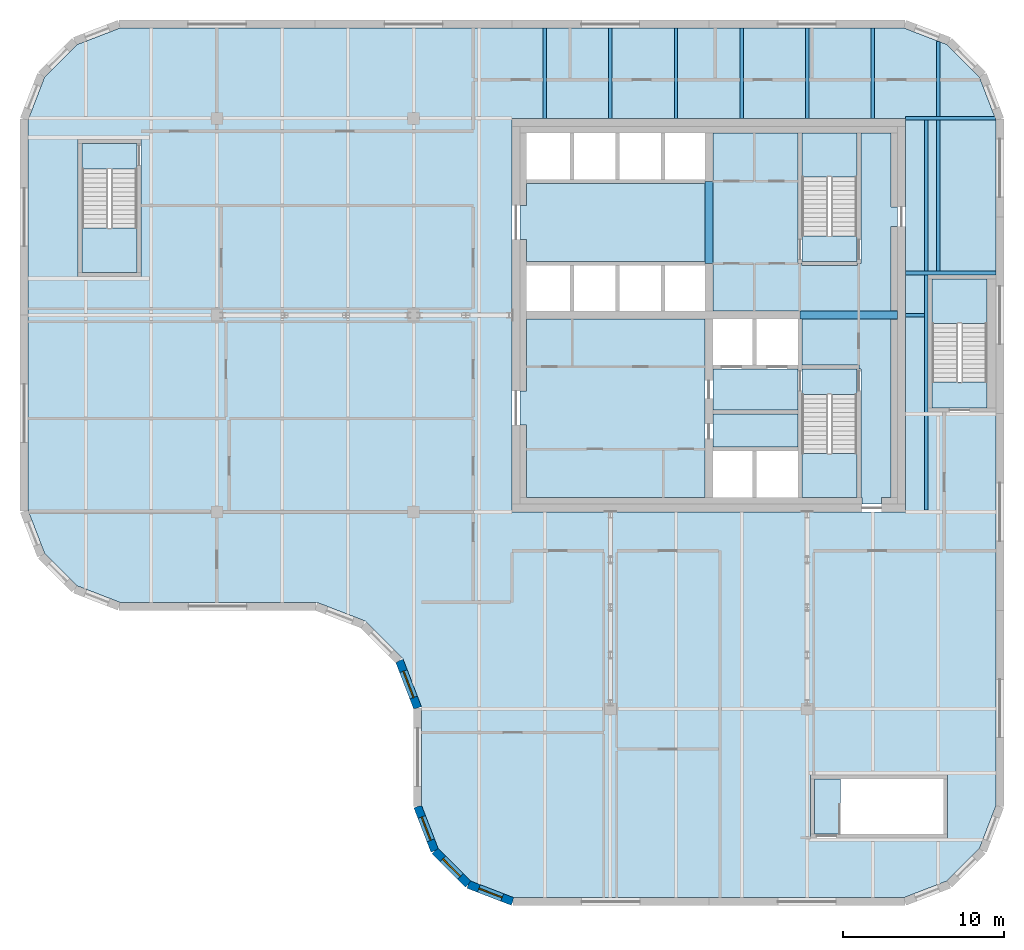
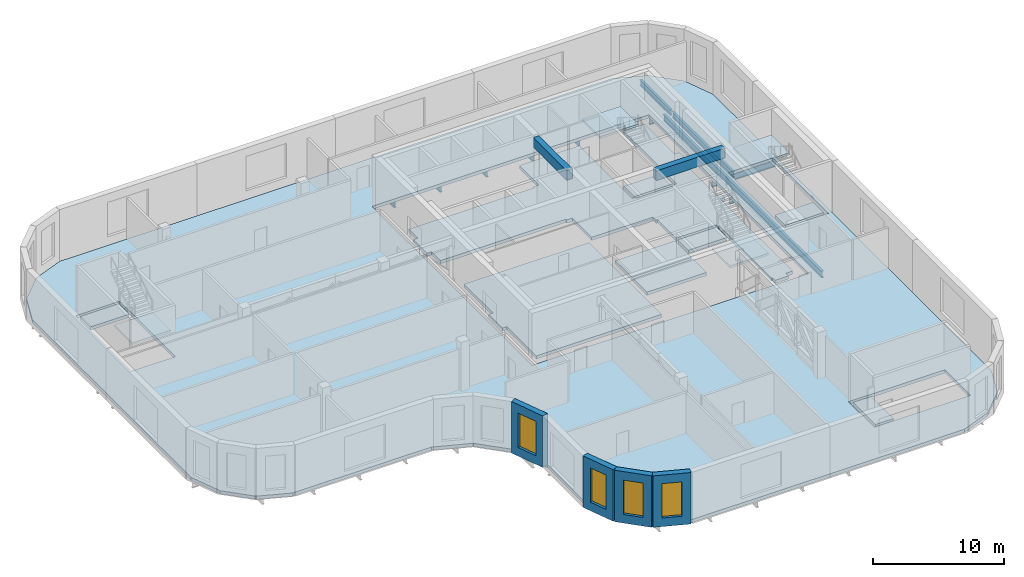
# One storey, part 4 of 12: 14 beams, 14 slabs, 4 walls, 4 windows, 4 openings, 4 elements without a shape of their own.
"""IFC4 building model written with IfcOpenShell, lengths in metres."""

import ifcopenshell
import ifcopenshell.guid

model = None  # the IFC model being written
_history = None  # IfcOwnerHistory: only IFC2X3 demands one
_inside = {}  # id of a spatial element -> (the spatial element, [elements in it])
_under = {}  # id of a project, library or spatial element -> (it, [spatial elements below it])
_declared = {}  # id of a project -> (the project, [libraries it declares])
_typed = {}  # id of a type object -> (the type object, [elements of that type])
_made_of = {}  # id of a material, layer set ... -> (it, [elements and type objects made of it])


def new_model(schema):
    """Start an empty IFC model of exactly this schema.

    Asked for "IFC4X3", IfcOpenShell would pick the latest addendum, in which some entities
    have other attributes; the version numbers below select the first issue.
    IFC2X3 requires an IfcOwnerHistory on every rooted entity: one is made here for all.
    """
    global model, _history
    if schema == "IFC4X3":
        model = ifcopenshell.file(schema_version=(4, 3, 0, 0))
    else:
        model = ifcopenshell.file(schema=schema)
    _inside.clear()
    _under.clear()
    _declared.clear()
    _typed.clear()
    _made_of.clear()
    _history = None
    if model.schema == "IFC2X3":
        org = make("IfcOrganization", Name="unknown")
        user = make(
            "IfcPersonAndOrganization",
            ThePerson=make("IfcPerson", FamilyName="unknown"),
            TheOrganization=org,
        )
        app = make(
            "IfcApplication",
            ApplicationDeveloper=org,
            Version="unknown",
            ApplicationFullName="unknown",
            ApplicationIdentifier="unknown",
        )
        _history = make(
            "IfcOwnerHistory",
            OwningUser=user,
            OwningApplication=app,
            ChangeAction="ADDED",
            CreationDate=0,
        )
    return model


def make(cls, **values):
    """One entity of the class cls with the attributes given. An attribute that is None is left unset."""
    return model.create_entity(
        cls, **{name: value for name, value in values.items() if value is not None}
    )


def rooted(cls, **values):
    """An entity with a GlobalId (a new one), such as an element, a storey or a relation."""
    return make(cls, GlobalId=ifcopenshell.guid.new(), OwnerHistory=_history, **values)


def si_unit(unit_type, name, prefix=None):
    """IfcSIUnit, for example si_unit("LENGTHUNIT", "METRE", prefix="MILLI")."""
    return make("IfcSIUnit", UnitType=unit_type, Prefix=prefix, Name=name)


def assignment(units):
    """IfcUnitAssignment: the units of a project."""
    return None if units is None else make("IfcUnitAssignment", Units=units)


def point(xyz):
    """IfcCartesianPoint."""
    return None if xyz is None else make("IfcCartesianPoint", Coordinates=xyz)


def direction(xyz):
    """IfcDirection."""
    return None if xyz is None else make("IfcDirection", DirectionRatios=xyz)


def frame(location, z_axis=None, x_axis=None):
    """IfcAxis2Placement3D, a coordinate frame: its origin and axes. An axis left out is left unset."""
    return make(
        "IfcAxis2Placement3D",
        Location=point(location),
        Axis=direction(z_axis),
        RefDirection=direction(x_axis),
    )


def frame_2d(location, x_axis=None):
    """IfcAxis2Placement2D, a coordinate frame in the plane: its origin and x axis."""
    return make(
        "IfcAxis2Placement2D", Location=point(location), RefDirection=direction(x_axis)
    )


def origin():
    """The frame at (0, 0, 0) with its axes left unset."""
    return frame((0.0, 0.0, 0.0))


def origin_2d():
    """The frame at (0, 0) in the plane with its x axis left unset."""
    return frame_2d((0.0, 0.0))


def place(relative_to, where):
    """IfcLocalPlacement: puts the frame where relative to a parent placement (None: the world)."""
    return make(
        "IfcLocalPlacement", PlacementRelTo=relative_to, RelativePlacement=where
    )


def context(
    kind, dimensions, precision=None, world=None, true_north=None, identifier=None
):
    """IfcGeometricRepresentationContext, for example the 3D "Model" context."""
    return make(
        "IfcGeometricRepresentationContext",
        ContextIdentifier=identifier,
        ContextType=kind,
        CoordinateSpaceDimension=dimensions,
        Precision=precision,
        WorldCoordinateSystem=world,
        TrueNorth=true_north,
    )


def subcontext(parent, identifier, kind, view, scale=None):
    """IfcGeometricRepresentationSubContext, for example "Body" below "Model"."""
    return make(
        "IfcGeometricRepresentationSubContext",
        ContextIdentifier=identifier,
        ContextType=kind,
        ParentContext=parent,
        TargetScale=scale,
        TargetView=view,
    )


def project(units=None, contexts=None):
    """IfcProject with its units and contexts."""
    return rooted(
        "IfcProject",
        Name="project",
        RepresentationContexts=contexts,
        UnitsInContext=assignment(units),
    )


def spatial(cls, under=None, at=None, **own):
    """A site, building, storey or space (cls), placed at a placement, below another one or the project."""
    s = rooted(cls, ObjectPlacement=at, **own)
    if under is not None:
        _under.setdefault(under.id(), (under, []))[1].append(s)
    return s


def polyline(points):
    """IfcPolyline through the points."""
    return make("IfcPolyline", Points=[point(p) for p in points])


def profile(cls, at=None, kind="AREA", **sizes):
    """A parametric profile (cls). Its sizes go by their IFC names, for example OverallWidth=200.0."""
    return make(cls, ProfileType=kind, Position=at, **sizes)


def rectangle(**sizes):
    """IfcRectangleProfileDef."""
    return profile("IfcRectangleProfileDef", **sizes)


def i_section(**sizes):
    """IfcIShapeProfileDef."""
    return profile("IfcIShapeProfileDef", **sizes)


def outline(outer, holes=None, kind="AREA"):
    """IfcArbitraryClosedProfileDef: a profile drawn as a closed curve; with holes, ...WithVoids."""
    if holes is None:
        return make("IfcArbitraryClosedProfileDef", ProfileType=kind, OuterCurve=outer)
    return make(
        "IfcArbitraryProfileDefWithVoids",
        ProfileType=kind,
        OuterCurve=outer,
        InnerCurves=holes,
    )


def extrude(swept, where, along, depth):
    """IfcExtrudedAreaSolid: the profile swept, set in the frame where, extruded along a direction by depth."""
    return make(
        "IfcExtrudedAreaSolid",
        SweptArea=swept,
        Position=where,
        ExtrudedDirection=direction(along),
        Depth=depth,
    )


def faces_of(points, faces, orient=None, outer=None):
    """IfcFace entities. A face is a list of loops; a loop is a list of indices into points, from 0.

    orient and outer hold one flag for each loop. By default every Orientation is true, the
    first loop of a face is its IfcFaceOuterBound and the others are IfcFaceBound.
    """
    made = []
    for i, loops in enumerate(faces):
        bounds = []
        for j, loop in enumerate(loops):
            is_outer = j == 0 if outer is None else outer[i][j]
            bounds.append(
                make(
                    "IfcFaceOuterBound" if is_outer else "IfcFaceBound",
                    Bound=make("IfcPolyLoop", Polygon=[points[k] for k in loop]),
                    Orientation=True if orient is None else orient[i][j],
                )
            )
        made.append(make("IfcFace", Bounds=bounds))
    return made


def faceted_brep(points, faces, orient=None, outer=None, voids=None):
    """IfcFacetedBrep: a solid bounded by flat faces; with voids (closed shells), ...WithVoids."""
    shared = [point(p) for p in points]
    hull = make("IfcClosedShell", CfsFaces=faces_of(shared, faces, orient, outer))
    if voids is None:
        return make("IfcFacetedBrep", Outer=hull)
    return make(
        "IfcFacetedBrepWithVoids",
        Outer=hull,
        Voids=[
            make(cls, CfsFaces=faces_of(shared, fs, o, b)) for cls, fs, o, b in voids
        ],
    )


def shape(context_of_items, identifier, shape_type, items):
    """IfcShapeRepresentation: the items that make up one representation, for example the "Body"."""
    return make(
        "IfcShapeRepresentation",
        ContextOfItems=context_of_items,
        RepresentationIdentifier=identifier,
        RepresentationType=shape_type,
        Items=items,
    )


def source(mapping_origin, context_of_items, identifier, shape_type, items):
    """IfcRepresentationMap: a shape defined once, which mapped items show again and again."""
    return make(
        "IfcRepresentationMap",
        MappingOrigin=mapping_origin,
        MappedRepresentation=shape(context_of_items, identifier, shape_type, items),
    )


def transform(
    local_origin,
    x_axis=None,
    y_axis=None,
    z_axis=None,
    scale=None,
    scale2=None,
    scale3=None,
    uniform=True,
):
    """IfcCartesianTransformationOperator3D, or its non-uniform kind. x_axis, y_axis, z_axis: its Axis1, 2, 3."""
    if uniform:
        return make(
            "IfcCartesianTransformationOperator3D",
            Axis1=direction(x_axis),
            Axis2=direction(y_axis),
            LocalOrigin=point(local_origin),
            Scale=scale,
            Axis3=direction(z_axis),
        )
    return make(
        "IfcCartesianTransformationOperator3DnonUniform",
        Axis1=direction(x_axis),
        Axis2=direction(y_axis),
        LocalOrigin=point(local_origin),
        Scale=scale,
        Axis3=direction(z_axis),
        Scale2=scale2,
        Scale3=scale3,
    )


def mapped(mapping_source, mapping_target):
    """IfcMappedItem: shows the shape of a source again, moved by a transform."""
    return make(
        "IfcMappedItem", MappingSource=mapping_source, MappingTarget=mapping_target
    )


def material(Name=None, Category=None):
    """IfcMaterial."""
    return make("IfcMaterial", Name=Name, Category=Category)


def layer(
    of_material, thickness, ventilated=None, Name=None, Category=None, Priority=None
):
    """IfcMaterialLayer: one layer of a wall or slab, of a material (None: an air gap)."""
    return make(
        "IfcMaterialLayer",
        Material=of_material,
        LayerThickness=thickness,
        IsVentilated=ventilated,
        Name=Name,
        Category=Category,
        Priority=Priority,
    )


def layer_set(layers, Name=None):
    """IfcMaterialLayerSet."""
    return make("IfcMaterialLayerSet", MaterialLayers=layers, LayerSetName=Name)


def material_profile(
    of_material, cross_section, Name=None, Category=None, Priority=None
):
    """IfcMaterialProfile: a cross section and its material."""
    return make(
        "IfcMaterialProfile",
        Name=Name,
        Material=of_material,
        Profile=cross_section,
        Priority=Priority,
        Category=Category,
    )


def profile_set(profiles, Name=None, composite=None):
    """IfcMaterialProfileSet."""
    return make(
        "IfcMaterialProfileSet",
        Name=Name,
        MaterialProfiles=profiles,
        CompositeProfile=composite,
    )


def made_of(thing, what):
    """Note that an element or type object is made of a material, layer set ...; save() writes the relation."""
    if what is not None:
        _made_of.setdefault(what.id(), (what, []))[1].append(thing)
    return thing


def type_object(cls, material=None, **own):
    """A type object (cls), such as IfcWallType, which elements share."""
    return made_of(rooted(cls, **own), material)


def element(
    cls,
    number,
    at=None,
    inside=None,
    cuts=None,
    type_object=None,
    material=None,
    context=None,
    identifier="Body",
    shape_type=None,
    held_by="IfcProductDefinitionShape",
    body=None,
    shapes=None,
    **own,
):
    """One element of the class cls, such as IfcWall. Its Tag is "e" and its number.

    at: its placement. inside: the storey or other place that contains it. cuts: it is an
    opening in that element (IfcRelVoidsElement). A single representation is given by context,
    identifier, shape_type and body (its items); several are given by shapes. held_by: the class
    of the entity that holds the representations. save() writes the other relations.
    """
    e = rooted(cls, Tag="e%d" % number, ObjectPlacement=at, **own)
    if body is not None:
        shapes = [shape(context, identifier, shape_type, body)]
    if shapes is not None:
        e.Representation = make(held_by, Representations=shapes)
    if inside is not None:
        _inside.setdefault(inside.id(), (inside, []))[1].append(e)
    if cuts is not None:
        rooted(
            "IfcRelVoidsElement", RelatingBuildingElement=cuts, RelatedOpeningElement=e
        )
    if type_object is not None:
        _typed.setdefault(type_object.id(), (type_object, []))[1].append(e)
    return made_of(e, material)


def fill(opening, filler):
    """IfcRelFillsElement: the door or window that sits in an opening."""
    return rooted(
        "IfcRelFillsElement",
        RelatingOpeningElement=opening,
        RelatedBuildingElement=filler,
    )


def aggregate(whole, parts):
    """IfcRelAggregates: a whole, such as a stair, and the parts it consists of."""
    return rooted("IfcRelAggregates", RelatingObject=whole, RelatedObjects=parts)


def save(model, path):
    """Write the relations noted so far, then the file.

    IfcRelAggregates (storeys below a building ...), IfcRelContainedInSpatialStructure (elements
    in a storey), IfcRelDefinesByType, IfcRelAssociatesMaterial and IfcRelDeclares: one each for
    every whole, place, type object, material and project.
    """
    for whole, parts in _under.values():
        aggregate(whole, parts)
    for where, things in _inside.values():
        rooted(
            "IfcRelContainedInSpatialStructure",
            RelatedElements=things,
            RelatingStructure=where,
        )
    for kind, things in _typed.values():
        rooted("IfcRelDefinesByType", RelatedObjects=things, RelatingType=kind)
    for what, things in _made_of.values():
        rooted("IfcRelAssociatesMaterial", RelatedObjects=things, RelatingMaterial=what)
    for by, libraries in _declared.values():
        rooted("IfcRelDeclares", RelatingContext=by, RelatedDefinitions=libraries)
    model.write(path)


model = new_model("IFC4")

# Units and contexts
model_context = context("Model", 3, precision=1e-05, world=origin(), true_north=direction((0.0, 1.0)))
body_context = subcontext(model_context, "Body", "Model", "MODEL_VIEW")
ifc_project = project(units=[si_unit("LENGTHUNIT", "METRE"), si_unit("AREAUNIT", "SQUARE_METRE"), si_unit("VOLUMEUNIT", "CUBIC_METRE"), si_unit("PLANEANGLEUNIT", "RADIAN"), si_unit("MASSUNIT", "GRAM", prefix="KILO")], contexts=[model_context])

# Site, building, storey
site_placement = place(None, origin())
site = spatial("IfcSite", under=ifc_project, at=site_placement, CompositionType="ELEMENT")
building_placement = place(site_placement, origin())
building = spatial("IfcBuilding", under=site, at=building_placement, Name="Tessera Gate Towers", CompositionType="ELEMENT")
storey_placement = place(building_placement, frame((0.0, 0.0, 232.10009765625)))
storey = spatial("IfcBuildingStorey", under=building, at=storey_placement, Name="L58", CompositionType="ELEMENT", Elevation=232.10009765625)

# Beams
ifc_material_1 = material(Name="Concrete C50/60", Category="concrete")
ifc_material_profile_1 = material_profile(ifc_material_1, rectangle(XDim=0.5, YDim=0.89990234375, at=origin_2d()), Name="RC 500x900")
ifc_profile_set_1 = profile_set([ifc_material_profile_1], Name="Concrete C50/60")
beam_type_1 = type_object("IfcBeamType", Name="COUPLING BEAM 500x900 C50/60", PredefinedType="BEAM", material=ifc_profile_set_1)
beam_1_placement = place(storey_placement, frame((48.35009765625, 36.60009765625, 4.14990234375), z_axis=(1.0, 0.0, 0.0), x_axis=(0.0, 1.0, 0.0)))
element("IfcBeam", 1, at=beam_1_placement, inside=storey, type_object=beam_type_1, Name="L58 coupling beam 1", PredefinedType="BEAM", context=body_context, shape_type="SweptSolid", body=[
    extrude(rectangle(XDim=0.5, YDim=0.89990234375, at=origin_2d()), origin(), (0.0, 0.0, 1.0), 6.0498046875),
])
beam_2_placement = place(storey_placement, frame((42.699951171875, 39.800048828125, 4.14990234375), z_axis=(0.0, 1.0, 0.0), x_axis=(-1.0, 0.0, 0.0)))
element("IfcBeam", 2, at=beam_2_placement, inside=storey, type_object=beam_type_1, Name="L58 coupling beam 2", PredefinedType="BEAM", context=body_context, shape_type="SweptSolid", body=[
    extrude(rectangle(XDim=0.5, YDim=0.89990234375, at=origin_2d()), origin(), (0.0, 0.0, 1.0), 5.099853515625),
])
ifc_material_2 = material(Name="Steel 350W", Category="steel")
ifc_material_profile_2 = material_profile(ifc_material_2, i_section(OverallWidth=0.22900390625, OverallDepth=0.612060546875, WebThickness=0.011962890625, FlangeThickness=0.01953125, at=origin_2d()), Name="W610x125")
ifc_profile_set_2 = profile_set([ifc_material_profile_2], Name="Steel 350W")
beam_type_2 = type_object("IfcBeamType", Name="FLOOR GIRDER W610x125", PredefinedType="BEAM", material=ifc_profile_set_2)
beam_3_placement = place(storey_placement, frame((54.89892578125, 36.60009765625, -0.606201171875), z_axis=(1.0, 0.0, 0.0), x_axis=(0.0, 1.0, 0.0)))
element("IfcBeam", 3, at=beam_3_placement, inside=storey, type_object=beam_type_2, Name="T1-GD-L58-5858", PredefinedType="BEAM", context=body_context, shape_type="SweptSolid", body=[
    extrude(i_section(OverallWidth=0.22900390625, OverallDepth=0.612060546875, WebThickness=0.011962890625, FlangeThickness=0.01953125, at=origin_2d()), origin(), (0.0, 0.0, 1.0), 1.16650390625),
])
beam_4_placement = place(storey_placement, frame((54.90087890625, 48.800048828125, -0.606201171875), z_axis=(1.0, 0.0, 0.0), x_axis=(0.0, 1.0, 0.0)))
element("IfcBeam", 4, at=beam_4_placement, inside=storey, type_object=beam_type_2, Name="T1-GD-L58-5862", PredefinedType="BEAM", context=body_context, shape_type="SweptSolid", body=[
    extrude(i_section(OverallWidth=0.22900390625, OverallDepth=0.612060546875, WebThickness=0.011962890625, FlangeThickness=0.01953125, at=origin_2d()), origin(), (0.0, 0.0, 1.0), 5.564208984375),
])
beam_5_placement = place(storey_placement, frame((54.89892578125, 39.219970703125, -0.606201171875), z_axis=(1.0, 0.0, 0.0), x_axis=(0.0, 1.0, 0.0)))
element("IfcBeam", 5, at=beam_5_placement, inside=storey, type_object=beam_type_2, Name="T1-GD-L58-5880", PredefinedType="BEAM", context=body_context, shape_type="SweptSolid", body=[
    extrude(i_section(OverallWidth=0.22900390625, OverallDepth=0.612060546875, WebThickness=0.011962890625, FlangeThickness=0.01953125, at=origin_2d()), origin(), (0.0, 0.0, 1.0), 5.60205078125),
])
beam_6_placement = place(storey_placement, frame((56.179931640625, 24.514404296875, -0.606201171875), z_axis=(0.0, 1.0, 0.0), x_axis=(-1.0, 0.0, 0.0)))
element("IfcBeam", 6, at=beam_6_placement, inside=storey, type_object=beam_type_2, Name="T1-GD-L58-5881", PredefinedType="BEAM", context=body_context, shape_type="SweptSolid", body=[
    extrude(i_section(OverallWidth=0.22900390625, OverallDepth=0.612060546875, WebThickness=0.011962890625, FlangeThickness=0.01953125, at=origin_2d()), origin(), (0.0, 0.0, 1.0), 24.171142578125),
])
ifc_material_3 = material(Name="Steel 350W", Category="steel")
ifc_material_profile_3 = material_profile(ifc_material_3, i_section(OverallWidth=0.208984375, OverallDepth=0.528076171875, WebThickness=0.009521484375, FlangeThickness=0.01318359375, at=origin_2d()), Name="W530x82")
ifc_profile_set_3 = profile_set([ifc_material_profile_3], Name="Steel 350W")
beam_type_3 = type_object("IfcBeamType", Name="FLOOR SECONDARY W530x82", PredefinedType="BEAM", material=ifc_profile_set_3)
for number, where, z_axis, x_axis, name in (
    (7, (32.533203125, 48.800048828125, -0.564208984375), (0.0, 1.0, 0.0), (-1.0, 0.0, 0.0), "T1-BM-L58-5905"),
    (8, (36.60009765625, 48.800048828125, -0.564208984375), (0.0, 1.0, 0.0), (-1.0, 0.0, 0.0), "T1-BM-L58-5906"),
    (9, (40.666748046875, 48.800048828125, -0.564208984375), (0.0, 1.0, 0.0), (-1.0, 0.0, 0.0), "T1-BM-L58-5909"),
    (10, (44.7333984375, 48.800048828125, -0.564208984375), (0.0, 1.0, 0.0), (-1.0, 0.0, 0.0), "T1-BM-L58-5912"),
    (11, (48.800048828125, 48.800048828125, -0.564208984375), (0.0, 1.0, 0.0), (-1.0, 0.0, 0.0), "T1-BM-L58-5913"),
    (12, (52.86669921875, 48.800048828125, -0.564208984375), (0.0, 1.0, 0.0), (-1.0, 0.0, 0.0), "T1-BM-L58-5917"),
):
    element("IfcBeam", number, at=place(storey_placement, frame(where, z_axis=z_axis, x_axis=x_axis)), inside=storey, type_object=beam_type_3, Name=name, PredefinedType="BEAM", context=body_context, shape_type="SweptSolid", body=[
        extrude(i_section(OverallWidth=0.208984375, OverallDepth=0.528076171875, WebThickness=0.009521484375, FlangeThickness=0.01318359375, at=origin_2d()), origin(), (0.0, 0.0, 1.0), 5.599853515625),
    ])
beam_7_placement = place(storey_placement, frame((56.933349609375, 39.33447265625, -0.564208984375), z_axis=(0.0, 1.0, 0.0), x_axis=(-1.0, 0.0, 0.0)))
element("IfcBeam", 13, at=beam_7_placement, inside=storey, type_object=beam_type_3, Name="T1-BM-L58-5922", PredefinedType="BEAM", context=body_context, shape_type="SweptSolid", body=[
    extrude(i_section(OverallWidth=0.208984375, OverallDepth=0.528076171875, WebThickness=0.009521484375, FlangeThickness=0.01318359375, at=origin_2d()), origin(), (0.0, 0.0, 1.0), 9.35107421875),
])
beam_8_placement = place(storey_placement, frame((56.933349609375, 48.91455078125, -0.564208984375), z_axis=(0.0, 1.0, 0.0), x_axis=(-1.0, 0.0, 0.0)))
element("IfcBeam", 14, at=beam_8_placement, inside=storey, type_object=beam_type_3, Name="T1-BM-L58-5923", PredefinedType="BEAM", context=body_context, shape_type="SweptSolid", body=[
    extrude(i_section(OverallWidth=0.208984375, OverallDepth=0.528076171875, WebThickness=0.009521484375, FlangeThickness=0.01318359375, at=origin_2d()), origin(), (0.0, 0.0, 1.0), 4.6650390625),
])

# Slabs
ifc_material_4 = material(Name="Concrete C35/45", Category="concrete")
ifc_layer_1 = layer(ifc_material_4, 0.300048828125)
ifc_layer_set_1 = layer_set([ifc_layer_1], Name="COMPOSITE FLOOR 300")
slab_type_1 = type_object("IfcSlabType", Name="COMPOSITE FLOOR 300", PredefinedType="FLOOR", material=ifc_layer_set_1)
slab_1_placement = place(storey_placement, frame((0.0, 0.0, -0.300048828125)))
element("IfcSlab", 15, at=slab_1_placement, inside=storey, type_object=slab_type_1, Name="T1-L58", PredefinedType="FLOOR", context=body_context, shape_type="SweptSolid", body=[
    extrude(outline(polyline([(0.5, 24.4931640625), (1.526123046875, 21.8330078125), (3.533203125, 19.826171875), (6.193115234375, 18.800048828125), (18.39306640625, 18.800048828125), (21.42431640625, 17.630615234375), (23.730712890625, 15.32421875), (24.89990234375, 12.293212890625), (24.89990234375, 6.193115234375), (25.926025390625, 3.533203125), (27.93310546875, 1.526123046875), (30.593017578125, 0.5), (54.806884765625, 0.5), (57.466796875, 1.526123046875), (59.473876953125, 3.533203125), (60.5, 6.193115234375), (60.5, 48.706787109375), (59.473876953125, 51.366943359375), (57.466796875, 53.373779296875), (54.806884765625, 54.39990234375), (6.193115234375, 54.39990234375), (3.533203125, 53.373779296875), (1.526123046875, 51.366943359375), (0.5, 48.706787109375), (0.5, 24.4931640625)]), holes=[polyline([(3.60009765625, 39.0), (3.60009765625, 47.5), (7.5, 47.5), (7.5, 39.0), (3.60009765625, 39.0)]), polyline([(30.5, 24.39990234375), (30.5, 48.800048828125), (54.89990234375, 48.800048828125), (54.89990234375, 24.39990234375), (30.5, 24.39990234375)]), polyline([(49.0, 4.199951171875), (49.0, 8.10009765625), (57.5, 8.10009765625), (57.5, 4.199951171875), (49.0, 4.199951171875)]), polyline([(56.300048828125, 30.60009765625), (56.300048828125, 39.10009765625), (60.199951171875, 39.10009765625), (60.199951171875, 30.60009765625), (56.300048828125, 30.60009765625)])]), origin(), (0.0, 0.0, 1.0), 0.300048828125),
])
ifc_material_5 = material(Name="Concrete C35/45", Category="concrete")
ifc_layer_2 = layer(ifc_material_5, 0.300048828125)
ifc_layer_set_2 = layer_set([ifc_layer_2], Name="CORE FLOOR SLAB 300")
slab_type_2 = type_object("IfcSlabType", Name="CORE FLOOR SLAB 300", PredefinedType="FLOOR", material=ifc_layer_set_2)
slab_2_placement = place(storey_placement, frame((0.0, 0.0, -0.300048828125)))
element("IfcSlab", 16, at=slab_2_placement, inside=storey, type_object=slab_type_2, Name="L58 core floor slab", PredefinedType="FLOOR", context=body_context, shape_type="SweptSolid", body=[
    extrude(outline(polyline([(42.449951171875, 44.89990234375), (42.449951171875, 44.77490234375), (31.39990234375, 44.77490234375), (31.39990234375, 43.39990234375), (31.0, 43.39990234375), (31.0, 41.300048828125), (31.39990234375, 41.300048828125), (31.39990234375, 39.925048828125), (42.449951171875, 39.925048828125), (42.449951171875, 39.800048828125), (42.949951171875, 39.800048828125), (42.949951171875, 36.85009765625), (48.35009765625, 36.85009765625), (48.35009765625, 36.35009765625), (48.47509765625, 36.35009765625), (48.47509765625, 33.52490234375), (52.0, 33.52490234375), (52.0, 33.27490234375), (52.125, 33.27490234375), (52.125, 25.300048828125), (52.199951171875, 25.300048828125), (52.199951171875, 24.89990234375), (53.39990234375, 24.89990234375), (53.39990234375, 25.300048828125), (54.0, 25.300048828125), (54.0, 36.320068359375), (54.39990234375, 36.320068359375), (54.39990234375, 36.8798828125), (54.0, 36.8798828125), (54.0, 42.10009765625), (54.39990234375, 42.10009765625), (54.39990234375, 43.300048828125), (54.0, 43.300048828125), (54.0, 47.89990234375), (52.125, 47.89990234375), (52.125, 39.800048828125), (51.875, 39.800048828125), (51.875, 39.675048828125), (48.47509765625, 39.675048828125), (48.47509765625, 39.800048828125), (48.22509765625, 39.800048828125), (48.22509765625, 47.89990234375), (42.949951171875, 47.89990234375), (42.949951171875, 44.89990234375), (42.449951171875, 44.89990234375)])), origin(), (0.0, 0.0, 1.0), 0.300048828125),
])
slab_3_placement = place(storey_placement, frame((0.0, 0.0, -0.300048828125)))
element("IfcSlab", 17, at=slab_3_placement, inside=storey, type_object=slab_type_2, Name="L58 core floor slab", PredefinedType="FLOOR", context=body_context, shape_type="SweptSolid", body=[
    extrude(outline(polyline([(31.39990234375, 36.35009765625), (31.39990234375, 31.89990234375), (31.0, 31.89990234375), (31.0, 29.800048828125), (31.39990234375, 29.800048828125), (31.39990234375, 25.300048828125), (42.449951171875, 25.300048828125), (42.449951171875, 36.35009765625), (31.39990234375, 36.35009765625)])), origin(), (0.0, 0.0, 1.0), 0.300048828125),
])
slab_4_placement = place(storey_placement, frame((0.0, 0.0, -0.300048828125)))
element("IfcSlab", 18, at=slab_4_placement, inside=storey, type_object=slab_type_2, Name="L58 core floor slab", PredefinedType="FLOOR", context=body_context, shape_type="SweptSolid", body=[
    extrude(outline(polyline([(42.949951171875, 33.27490234375), (42.949951171875, 30.72509765625), (48.22509765625, 30.72509765625), (48.22509765625, 33.27490234375), (42.949951171875, 33.27490234375)])), origin(), (0.0, 0.0, 1.0), 0.300048828125),
])
slab_5_placement = place(storey_placement, frame((0.0, 0.0, -0.300048828125)))
element("IfcSlab", 19, at=slab_5_placement, inside=storey, type_object=slab_type_2, Name="L58 core floor slab", PredefinedType="FLOOR", context=body_context, shape_type="SweptSolid", body=[
    extrude(outline(polyline([(48.22509765625, 30.47509765625), (42.949951171875, 30.47509765625), (42.949951171875, 28.425048828125), (48.22509765625, 28.425048828125), (48.22509765625, 30.47509765625)])), origin(), (0.0, 0.0, 1.0), 0.300048828125),
])
slab_6_placement = place(storey_placement, frame((0.0, 0.0, -0.300048828125)))
element("IfcSlab", 20, at=slab_6_placement, inside=storey, type_object=slab_type_2, Name="L58 core floor slab", PredefinedType="FLOOR", context=body_context, shape_type="SweptSolid", body=[
    extrude(outline(polyline([(51.875, 31.675048828125), (51.875, 33.27490234375), (48.47509765625, 33.27490234375), (48.47509765625, 31.675048828125), (51.875, 31.675048828125)])), origin(), (0.0, 0.0, 1.0), 0.300048828125),
])
slab_7_placement = place(storey_placement, frame((0.0, 0.0, -0.300048828125)))
element("IfcSlab", 21, at=slab_7_placement, inside=storey, type_object=slab_type_2, Name="L58 core floor slab", PredefinedType="FLOOR", context=body_context, shape_type="SweptSolid", body=[
    extrude(outline(polyline([(48.47509765625, 41.52490234375), (48.47509765625, 39.925048828125), (51.875, 39.925048828125), (51.875, 41.52490234375), (48.47509765625, 41.52490234375)])), origin(), (0.0, 0.0, 1.0), 0.300048828125),
])
slab_8_placement = place(storey_placement, frame((0.0, 0.0, -0.300048828125)))
element("IfcSlab", 22, at=slab_8_placement, inside=storey, type_object=slab_type_2, Name="L58 ST3 floor landing", PredefinedType="FLOOR", context=body_context, shape_type="SweptSolid", body=[
    extrude(outline(polyline([(3.85009765625, 47.25), (3.85009765625, 45.64990234375), (7.25, 45.64990234375), (7.25, 47.25), (3.85009765625, 47.25)])), origin(), (0.0, 0.0, 1.0), 0.300048828125),
])
slab_9_placement = place(storey_placement, frame((0.0, 0.0, -0.300048828125)))
element("IfcSlab", 23, at=slab_9_placement, inside=storey, type_object=slab_type_2, Name="L58 ST4 floor landing", PredefinedType="FLOOR", context=body_context, shape_type="SweptSolid", body=[
    extrude(outline(polyline([(49.25, 4.449951171875), (50.85009765625, 4.449951171875), (50.85009765625, 7.85009765625), (49.25, 7.85009765625), (49.25, 4.449951171875)])), origin(), (0.0, 0.0, 1.0), 0.300048828125),
])
slab_10_placement = place(storey_placement, frame((0.0, 0.0, -0.300048828125)))
element("IfcSlab", 24, at=slab_10_placement, inside=storey, type_object=slab_type_2, Name="L58 ST5 floor landing", PredefinedType="FLOOR", context=body_context, shape_type="SweptSolid", body=[
    extrude(outline(polyline([(59.949951171875, 30.85009765625), (59.949951171875, 32.449951171875), (56.550048828125, 32.449951171875), (56.550048828125, 30.85009765625), (59.949951171875, 30.85009765625)])), origin(), (0.0, 0.0, 1.0), 0.300048828125),
])

# Stair, slab
ifc_material_6 = material(Name="Concrete C40/50", Category="concrete")
stair_type_1 = type_object("IfcStairType", Name="EXIT STAIR ST1A 1600", PredefinedType="HALF_TURN_STAIR", material=ifc_material_6)
stair_1_placement = place(storey_placement, origin())
stair_1 = element("IfcStair", 25, at=stair_1_placement, inside=storey, type_object=stair_type_1, Name="L58 Protected Exit Stair ST1", PredefinedType="HALF_TURN_STAIR")
ifc_material_7 = material(Name="Concrete C40/50", Category="concrete")
ifc_layer_3 = layer(ifc_material_7, 0.199951171875)
ifc_layer_set_3 = layer_set([ifc_layer_3], Name="EXIT STAIR LANDING 200")
slab_type_3 = type_object("IfcSlabType", Name="EXIT STAIR LANDING 200", PredefinedType="LANDING", material=ifc_layer_set_3)
slab_11_placement = place(storey_placement, frame((0.0, 0.0, 2.199951171875)))
slab_11 = element("IfcSlab", 26, at=slab_11_placement, type_object=slab_type_3, Name="ST1 landing 1", PredefinedType="LANDING", context=body_context, shape_type="SweptSolid", body=[
    extrude(outline(polyline([(48.47509765625, 28.034912109375), (48.47509765625, 25.300048828125), (51.875, 25.300048828125), (51.875, 28.034912109375), (48.47509765625, 28.034912109375)])), origin(), (0.0, 0.0, 1.0), 0.199951171875),
])
aggregate(stair_1, [slab_11])

ifc_material_8 = material(Name="Concrete C40/50", Category="concrete")
stair_type_2 = type_object("IfcStairType", Name="EXIT STAIR ST2A 1600", PredefinedType="HALF_TURN_STAIR", material=ifc_material_8)
stair_2_placement = place(storey_placement, origin())
stair_2 = element("IfcStair", 27, at=stair_2_placement, inside=storey, type_object=stair_type_2, Name="L58 Protected Exit Stair ST2", PredefinedType="HALF_TURN_STAIR")
slab_12_placement = place(storey_placement, frame((0.0, 0.0, 2.199951171875)))
slab_12 = element("IfcSlab", 28, at=slab_12_placement, type_object=slab_type_3, Name="ST2 landing 1", PredefinedType="LANDING", context=body_context, shape_type="SweptSolid", body=[
    extrude(outline(polyline([(51.875, 45.1650390625), (51.875, 47.89990234375), (48.47509765625, 47.89990234375), (48.47509765625, 45.1650390625), (51.875, 45.1650390625)])), origin(), (0.0, 0.0, 1.0), 0.199951171875),
])
aggregate(stair_2, [slab_12])

ifc_material_9 = material(Name="Concrete C40/50", Category="concrete")
stair_type_3 = type_object("IfcStairType", Name="EXIT STAIR ST3A 1600", PredefinedType="HALF_TURN_STAIR", material=ifc_material_9)
stair_3_placement = place(storey_placement, origin())
stair_3 = element("IfcStair", 29, at=stair_3_placement, inside=storey, type_object=stair_type_3, Name="L58 West Exit Stair ST3", PredefinedType="HALF_TURN_STAIR")
slab_13_placement = place(storey_placement, frame((0.0, 0.0, 2.199951171875)))
slab_13 = element("IfcSlab", 30, at=slab_13_placement, type_object=slab_type_3, Name="ST3 landing 1", PredefinedType="LANDING", context=body_context, shape_type="SweptSolid", body=[
    extrude(outline(polyline([(3.85009765625, 42.010009765625), (3.85009765625, 39.25), (7.25, 39.25), (7.25, 42.010009765625), (3.85009765625, 42.010009765625)])), origin(), (0.0, 0.0, 1.0), 0.199951171875),
])
aggregate(stair_3, [slab_13])

ifc_material_10 = material(Name="Concrete C40/50", Category="concrete")
stair_type_4 = type_object("IfcStairType", Name="EXIT STAIR ST5A 1600", PredefinedType="HALF_TURN_STAIR", material=ifc_material_10)
stair_4_placement = place(storey_placement, origin())
stair_4 = element("IfcStair", 31, at=stair_4_placement, inside=storey, type_object=stair_type_4, Name="L58 East Exit Stair ST5", PredefinedType="HALF_TURN_STAIR")
slab_14_placement = place(storey_placement, frame((0.0, 0.0, 2.199951171875)))
slab_14 = element("IfcSlab", 32, at=slab_14_placement, type_object=slab_type_3, Name="ST5 landing 1", PredefinedType="LANDING", context=body_context, shape_type="SweptSolid", body=[
    extrude(outline(polyline([(59.949951171875, 36.090087890625), (59.949951171875, 38.85009765625), (56.550048828125, 38.85009765625), (56.550048828125, 36.090087890625), (59.949951171875, 36.090087890625)])), origin(), (0.0, 0.0, 1.0), 0.199951171875),
])
aggregate(stair_4, [slab_14])

# Wall, opening, window
ifc_material_11 = material(Name="Precast concrete C60/75 white", Category="concrete")
ifc_layer_4 = layer(ifc_material_11, 0.5)
ifc_layer_set_4 = layer_set([ifc_layer_4], Name="RB1 ring band panel")
wall_type = type_object("IfcWallType", Name="RB1 ring band panel", PredefinedType="SOLIDWALL", material=ifc_layer_set_4)
shared_shape_1 = source(origin(), body_context, "Body", "Brep", [
    faceted_brep([(0.0, -0.25, 0.0), (2.950439453125, -0.25, 0.0), (2.950439453125, -0.25, 4.7998046875), (0.0, -0.25, 4.7998046875), (0.046630859375, 0.25, 4.7998046875), (2.897705078125, 0.25, 4.7998046875), (2.897705078125, 0.25, 0.0), (0.046630859375, 0.25, 0.0), (2.950439453125, 0.00048828125, 0.0), (0.0, 0.0, 0.0), (2.950439453125, 0.00048828125, 4.7998046875), (0.0, 0.0, 4.7998046875)], [[[0, 1, 2, 3]], [[4, 5, 6, 7]], [[7, 6, 8, 1, 0, 9]], [[10, 2, 1, 8]], [[5, 4, 11, 3, 2, 10]], [[9, 0, 3, 11]], [[7, 9, 11, 4]], [[8, 6, 5, 10]]]),
])
wall_1_placement = place(storey_placement, frame((24.64990234375, 6.146484375, 0.0), z_axis=(0.0, 0.0, 1.0), x_axis=(0.359949242603, -0.932971887438, 0.0)))
wall_1 = element("IfcWall", 33, at=wall_1_placement, inside=storey, type_object=wall_type, Name="Ring band panel T1 RB1-0094", PredefinedType="SOLIDWALL", context=body_context, shape_type="MappedRepresentation", body=[
    mapped(shared_shape_1, transform((0.0, 0.0, 0.0), scale=1.0)),
])
shared_shape_2 = source(origin(), body_context, "Body", "SweptSolid", [
    extrude(outline(polyline([(0.699951171875, 0.7998046875), (2.25048828125, 0.7998046875), (2.25048828125, 4.0), (0.699951171875, 4.0), (0.699951171875, 0.7998046875)])), frame((0.0, 0.260009765625, 0.0), z_axis=(0.0, -1.0, 0.0), x_axis=(1.0, 0.0, 0.0)), (0.0, 0.0, 1.0), 0.52001953125),
])
opening_1_placement = place(wall_1_placement, origin())
opening_1 = element("IfcOpeningElement", 34, at=opening_1_placement, cuts=wall_1, Name="Opening T1-WN-LV1-0094", PredefinedType="OPENING", context=body_context, shape_type="MappedRepresentation", body=[
    mapped(shared_shape_2, transform((0.0, 0.0, 0.0), scale=1.0)),
])
ifc_material_12 = material(Name="Aluminium louvre", Category="aluminium")
ifc_layer_5 = layer(ifc_material_12, 0.06005859375)
ifc_layer_set_5 = layer_set([ifc_layer_5], Name="LV1 louvre")
window_type = type_object("IfcWindowType", Name="LV1 louvre", PartitioningType="USERDEFINED", PredefinedType="WINDOW", material=ifc_layer_set_5)
shared_shape_3 = source(origin(), body_context, "Body", "SweptSolid", [
    extrude(outline(polyline([(0.699951171875, 0.7998046875), (2.25048828125, 0.7998046875), (2.25048828125, 4.0), (0.699951171875, 4.0), (0.699951171875, 0.7998046875)])), frame((0.0, 0.030029296875, 0.0), z_axis=(0.0, -1.0, 0.0), x_axis=(1.0, 0.0, 0.0)), (0.0, 0.0, 1.0), 0.06005859375),
])
window_1_placement = place(opening_1_placement, origin())
window_1 = element("IfcWindow", 35, at=window_1_placement, inside=storey, type_object=window_type, Name="Louvre T1 WN-LV1-0094", OverallHeight=3.2001953125, OverallWidth=1.550537109375, PartitioningType="USERDEFINED", PredefinedType="WINDOW", context=body_context, shape_type="MappedRepresentation", body=[
    mapped(shared_shape_3, transform((0.0, 0.0, 0.0), scale=1.0)),
])
fill(opening_1, window_1)

shared_shape_4 = source(origin(), body_context, "Body", "Brep", [
    faceted_brep([(0.0, -0.25, 0.0), (2.944091796875, -0.25, 0.0), (2.944091796875, -0.25, 4.7998046875), (0.0, -0.25, 4.7998046875), (0.052978515625, 0.25, 4.7998046875), (2.89111328125, 0.25, 4.7998046875), (2.89111328125, 0.25, 0.0), (0.052978515625, 0.25, 0.0), (2.944091796875, 0.000244140625, 0.0), (0.0, 0.0, 0.0), (2.944091796875, 0.000244140625, 4.7998046875), (0.0, 0.0, 4.7998046875)], [[[0, 1, 2, 3]], [[4, 5, 6, 7]], [[7, 6, 8, 1, 0, 9]], [[10, 2, 1, 8]], [[5, 4, 11, 3, 2, 10]], [[9, 0, 3, 11]], [[7, 9, 11, 4]], [[8, 6, 5, 10]]]),
])
wall_2_placement = place(storey_placement, frame((25.7119140625, 3.393798828125, 0.0), z_axis=(0.0, 0.0, 1.0), x_axis=(0.707106781187, -0.707106781187, 0.0)))
wall_2 = element("IfcWall", 36, at=wall_2_placement, inside=storey, type_object=wall_type, Name="Ring band panel T1 RB1-0095", PredefinedType="SOLIDWALL", context=body_context, shape_type="MappedRepresentation", body=[
    mapped(shared_shape_4, transform((0.0, 0.0, 0.0), scale=1.0)),
])
shared_shape_5 = source(origin(), body_context, "Body", "SweptSolid", [
    extrude(outline(polyline([(0.699951171875, 0.7998046875), (2.244140625, 0.7998046875), (2.244140625, 4.0), (0.699951171875, 4.0), (0.699951171875, 0.7998046875)])), frame((0.0, 0.260009765625, 0.0), z_axis=(0.0, -1.0, 0.0), x_axis=(1.0, 0.0, 0.0)), (0.0, 0.0, 1.0), 0.52001953125),
])
opening_2_placement = place(wall_2_placement, origin())
opening_2 = element("IfcOpeningElement", 37, at=opening_2_placement, cuts=wall_2, Name="Opening T1-WN-LV1-0095", PredefinedType="OPENING", context=body_context, shape_type="MappedRepresentation", body=[
    mapped(shared_shape_5, transform((0.0, 0.0, 0.0), scale=1.0)),
])
shared_shape_6 = source(origin(), body_context, "Body", "SweptSolid", [
    extrude(outline(polyline([(0.699951171875, 0.7998046875), (2.244140625, 0.7998046875), (2.244140625, 4.0), (0.699951171875, 4.0), (0.699951171875, 0.7998046875)])), frame((0.0, 0.030029296875, 0.0), z_axis=(0.0, -1.0, 0.0), x_axis=(1.0, 0.0, 0.0)), (0.0, 0.0, 1.0), 0.06005859375),
])
window_2_placement = place(opening_2_placement, origin())
window_2 = element("IfcWindow", 38, at=window_2_placement, inside=storey, type_object=window_type, Name="Louvre T1 WN-LV1-0095", OverallHeight=3.2001953125, OverallWidth=1.544189453125, PartitioningType="USERDEFINED", PredefinedType="WINDOW", context=body_context, shape_type="MappedRepresentation", body=[
    mapped(shared_shape_6, transform((0.0, 0.0, 0.0), scale=1.0)),
])
fill(opening_2, window_2)

shared_shape_7 = source(origin(), body_context, "Body", "Brep", [
    faceted_brep([(0.0, -0.25, 0.0), (2.950439453125, -0.25, 0.0), (2.950439453125, -0.25, 4.7998046875), (0.0, -0.25, 4.7998046875), (0.052978515625, 0.25, 4.7998046875), (2.904052734375, 0.25, 4.7998046875), (2.904052734375, 0.25, 0.0), (0.052978515625, 0.25, 0.0), (2.950439453125, 0.00048828125, 0.0), (0.0, 0.0, 0.0), (2.950439453125, 0.00048828125, 4.7998046875), (0.0, 0.0, 4.7998046875)], [[[0, 1, 2, 3]], [[4, 5, 6, 7]], [[7, 6, 8, 1, 0, 9]], [[10, 2, 1, 8]], [[5, 4, 11, 3, 2, 10]], [[9, 0, 3, 11]], [[7, 9, 11, 4]], [[8, 6, 5, 10]]]),
])
wall_3_placement = place(storey_placement, frame((27.793701171875, 1.31201171875, 0.0), z_axis=(0.0, 0.0, 1.0), x_axis=(0.932971887438, -0.359949242603, 0.0)))
wall_3 = element("IfcWall", 39, at=wall_3_placement, inside=storey, type_object=wall_type, Name="Ring band panel T1 RB1-0096", PredefinedType="SOLIDWALL", context=body_context, shape_type="MappedRepresentation", body=[
    mapped(shared_shape_7, transform((0.0, 0.0, 0.0), scale=1.0)),
])
opening_3_placement = place(wall_3_placement, origin())
opening_3 = element("IfcOpeningElement", 40, at=opening_3_placement, cuts=wall_3, Name="Opening T1-WN-LV1-0096", PredefinedType="OPENING", context=body_context, shape_type="MappedRepresentation", body=[
    mapped(shared_shape_2, transform((0.0, 0.0, 0.0), scale=1.0)),
])
window_3_placement = place(opening_3_placement, origin())
window_3 = element("IfcWindow", 41, at=window_3_placement, inside=storey, type_object=window_type, Name="Louvre T1 WN-LV1-0096", OverallHeight=3.2001953125, OverallWidth=1.550537109375, PartitioningType="USERDEFINED", PredefinedType="WINDOW", context=body_context, shape_type="MappedRepresentation", body=[
    mapped(shared_shape_3, transform((0.0, 0.0, 0.0), scale=1.0)),
])
fill(opening_3, window_3)

shared_shape_8 = source(origin(), body_context, "Body", "Brep", [
    faceted_brep([(0.052978515625, -0.25, 0.0), (3.10302734375, -0.25, 0.0), (3.10302734375, -0.25, 4.7998046875), (0.052978515625, -0.25, 4.7998046875), (0.0, 0.25, 4.7998046875), (3.1494140625, 0.25, 4.7998046875), (3.1494140625, 0.25, 0.0), (0.0, 0.25, 0.0), (3.1494140625, -0.000244140625, 0.0), (0.0, 0.0, 0.0), (3.1494140625, -0.000244140625, 4.7998046875), (0.0, 0.0, 4.7998046875)], [[[0, 1, 2, 3]], [[4, 5, 6, 7]], [[7, 6, 8, 1, 0, 9]], [[6, 5, 10, 8]], [[5, 4, 11, 3, 2, 10]], [[4, 7, 9, 11]], [[9, 0, 3, 11]], [[1, 8, 10, 2]]]),
])
wall_4_placement = place(storey_placement, frame((23.5166015625, 15.18505859375, 0.0), z_axis=(0.0, 0.0, 1.0), x_axis=(0.359841220347, -0.933013556246, 0.0)))
wall_4 = element("IfcWall", 42, at=wall_4_placement, inside=storey, type_object=wall_type, Name="Ring band panel T1 RB1-0092", PredefinedType="SOLIDWALL", context=body_context, shape_type="MappedRepresentation", body=[
    mapped(shared_shape_8, transform((0.0, 0.0, 0.0), scale=1.0)),
])
shared_shape_9 = source(origin(), body_context, "Body", "SweptSolid", [
    extrude(outline(polyline([(0.699951171875, 0.7998046875), (2.449462890625, 0.7998046875), (2.449462890625, 4.0), (0.699951171875, 4.0), (0.699951171875, 0.7998046875)])), frame((0.0, 0.260009765625, 0.0), z_axis=(0.0, -1.0, 0.0), x_axis=(1.0, 0.0, 0.0)), (0.0, 0.0, 1.0), 0.52001953125),
])
opening_4_placement = place(wall_4_placement, origin())
opening_4 = element("IfcOpeningElement", 43, at=opening_4_placement, cuts=wall_4, Name="Opening T1-WN-LV1-0092", PredefinedType="OPENING", context=body_context, shape_type="MappedRepresentation", body=[
    mapped(shared_shape_9, transform((0.0, 0.0, 0.0), scale=1.0)),
])
shared_shape_10 = source(origin(), body_context, "Body", "SweptSolid", [
    extrude(outline(polyline([(0.699951171875, 0.7998046875), (2.449462890625, 0.7998046875), (2.449462890625, 4.0), (0.699951171875, 4.0), (0.699951171875, 0.7998046875)])), frame((0.0, 0.030029296875, 0.0), z_axis=(0.0, -1.0, 0.0), x_axis=(1.0, 0.0, 0.0)), (0.0, 0.0, 1.0), 0.06005859375),
])
window_4_placement = place(opening_4_placement, origin())
window_4 = element("IfcWindow", 44, at=window_4_placement, inside=storey, type_object=window_type, Name="Louvre T1 WN-LV1-0092", OverallHeight=3.2001953125, OverallWidth=1.74951171875, PartitioningType="USERDEFINED", PredefinedType="WINDOW", context=body_context, shape_type="MappedRepresentation", body=[
    mapped(shared_shape_10, transform((0.0, 0.0, 0.0), scale=1.0)),
])
fill(opening_4, window_4)

save(model, "model.ifc")
